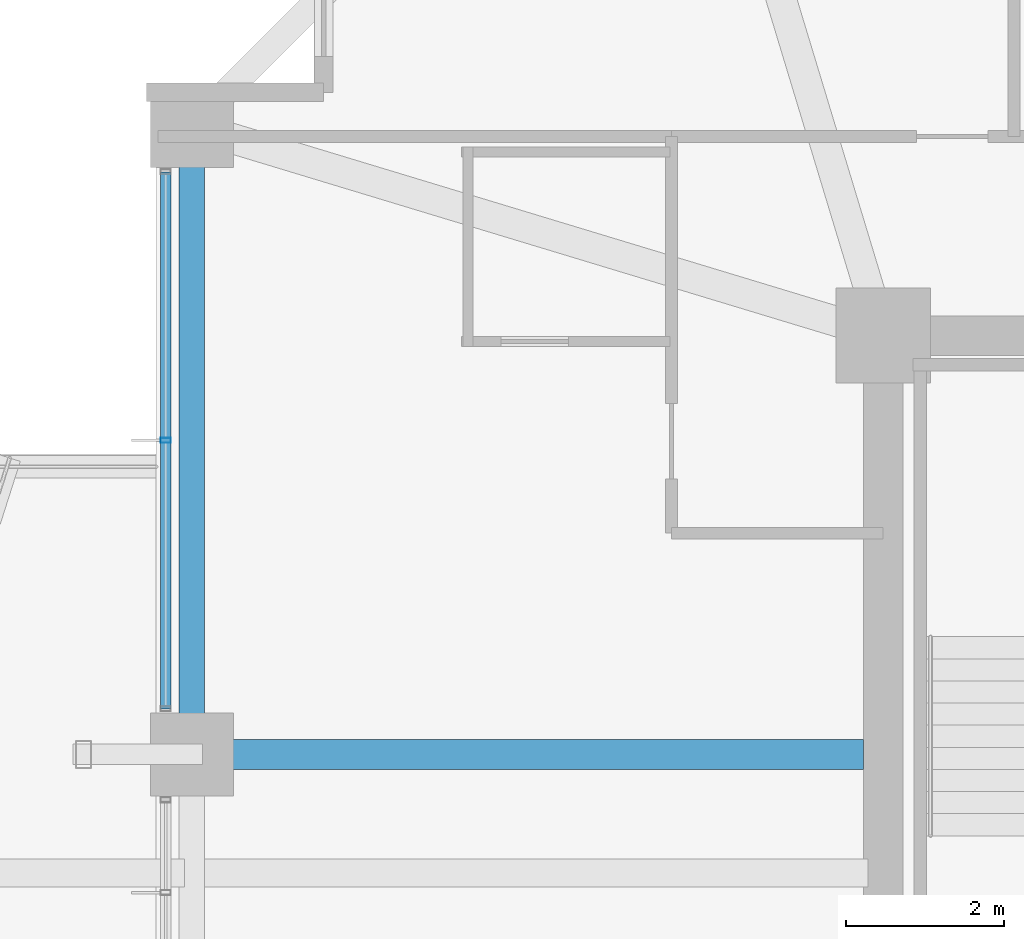
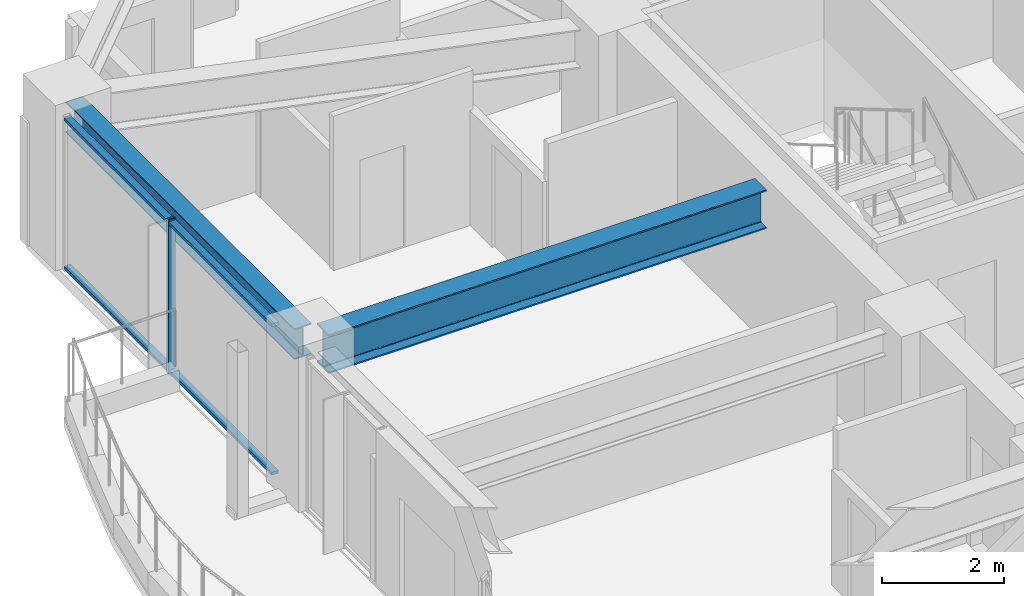
# One storey, part 12 of 38: 3 members, 2 beams, 1 element without a shape of its own.
"""IFC4 building model written with IfcOpenShell, lengths in metres."""

from ifc_helpers import new_model, si_unit, direction, frame, origin, origin_2d, place, context, subcontext, project, spatial, hollow_rectangle, i_section, extrude, material, material_profile, profile_set, type_object, element, aggregate, save


model = new_model("IFC4")

# Units and contexts
model_context = context("Model", 3, precision=1e-05, world=origin(), true_north=direction((0.0, 1.0)))
body_context = subcontext(model_context, "Body", "Model", "MODEL_VIEW")
ifc_project = project(units=[si_unit("LENGTHUNIT", "METRE"), si_unit("AREAUNIT", "SQUARE_METRE"), si_unit("VOLUMEUNIT", "CUBIC_METRE"), si_unit("PLANEANGLEUNIT", "RADIAN"), si_unit("MASSUNIT", "GRAM", prefix="KILO")], contexts=[model_context])

# Site, building, storey
site_placement = place(None, origin())
site = spatial("IfcSite", under=ifc_project, at=site_placement, CompositionType="ELEMENT")
building_placement = place(site_placement, origin())
building = spatial("IfcBuilding", under=site, at=building_placement, Name="Kolvaren Belvedere", CompositionType="ELEMENT")
storey_placement = place(building_placement, frame((0.0, 0.0, 121.699951171875)))
storey = spatial("IfcBuildingStorey", under=building, at=storey_placement, Name="L35", CompositionType="ELEMENT", Elevation=121.699951171875)

# Beams
ifc_material_1 = material(Name="Structural steel ASTM A992 Grade 50", Category="steel")
ifc_material_profile_1 = material_profile(ifc_material_1, i_section(OverallWidth=0.381103515625, OverallDepth=0.77294921875, WebThickness=0.0166015625, FlangeThickness=0.027099609375, FilletRadius=0.02392578125, at=origin_2d()), Name="W30X173")
ifc_profile_set_1 = profile_set([ifc_material_profile_1], Name="Structural steel ASTM A992 Grade 50")
beam_type_1 = type_object("IfcBeamType", Name="BM-GIRD-W30X173", PredefinedType="BEAM", material=ifc_profile_set_1)
beam_1_placement = place(storey_placement, frame((-10.14990234375, 4.60009765625, 2.693603515625), z_axis=(-1.0, 0.0, 0.0), x_axis=(0.0, -1.0, 0.0)))
element("IfcBeam", 1, at=beam_1_placement, inside=storey, type_object=beam_type_1, Name="L35 West Radial Girder P", PredefinedType="BEAM", context=body_context, shape_type="SweptSolid", body=[
    extrude(i_section(OverallWidth=0.381103515625, OverallDepth=0.77294921875, WebThickness=0.0166015625, FlangeThickness=0.027099609375, FilletRadius=0.02392578125, at=origin_2d()), origin(), (0.0, 0.0, 1.0), 8.263916015625),
])
ifc_material_2 = material(Name="Structural steel ASTM A992 Grade 50", Category="steel")
ifc_material_profile_2 = material_profile(ifc_material_2, i_section(OverallWidth=0.324951171875, OverallDepth=0.615966796875, WebThickness=0.013916015625, FlangeThickness=0.021484375, FilletRadius=0.02001953125, at=origin_2d()), Name="W24X117")
ifc_profile_set_2 = profile_set([ifc_material_profile_2], Name="Structural steel ASTM A992 Grade 50")
beam_type_2 = type_object("IfcBeamType", Name="BM-SPAN-W24X117", PredefinedType="SPANDREL", material=ifc_profile_set_2)
beam_2_placement = place(storey_placement, frame((-18.64990234375, 12.313720703125, 2.77197265625), z_axis=(0.0, -1.0, 0.0), x_axis=(1.0, 0.0, 0.0)))
element("IfcBeam", 2, at=beam_2_placement, inside=storey, type_object=beam_type_2, Name="L35 Perimeter Spandrel W4-W3", PredefinedType="SPANDREL", context=body_context, shape_type="SweptSolid", body=[
    extrude(i_section(OverallWidth=0.324951171875, OverallDepth=0.615966796875, WebThickness=0.013916015625, FlangeThickness=0.021484375, FilletRadius=0.02001953125, at=origin_2d()), origin(), (0.0, 0.0, 1.0), 7.4775390625),
])

# Curtain wall, members
ifc_material_3 = material(Name="Anodised pale-metal aluminium AA 6063-T6", Category="aluminium")
curtain_wall_type = type_object("IfcCurtainWallType", Name="CW-Z3-WAIST", PredefinedType="NOTDEFINED", material=ifc_material_3)
curtain_wall_placement = place(storey_placement, origin())
curtain_wall = element("IfcCurtainWall", 3, at=curtain_wall_placement, inside=storey, type_object=curtain_wall_type, Name="L35 Unitised Curtain Wall FCW-L35-W2-B2", PredefinedType="NOTDEFINED")
ifc_material_4 = material(Name="Anodised pale-metal aluminium AA 6063-T6", Category="aluminium")
ifc_material_profile_3 = material_profile(ifc_material_4, hollow_rectangle(XDim=0.06494140625, YDim=0.1298828125, WallThickness=0.00390625, at=origin_2d()), Name="ALU-MUL-130X65")
ifc_profile_set_3 = profile_set([ifc_material_profile_3], Name="Anodised pale-metal aluminium AA 6063-T6")
member_type_1 = type_object("IfcMemberType", Name="CW-MUL-130", PredefinedType="MULLION", material=ifc_profile_set_3)
member_1_placement = place(storey_placement, frame((-18.97998046875, 8.574951171875, 0.0), z_axis=(0.0, 0.0, 1.0), x_axis=(0.0, 1.0, 0.0)))
member_1 = element("IfcMember", 4, at=member_1_placement, type_object=member_type_1, Name="FCW-L35-W2-B2 Unitised Mullion 2", PredefinedType="MULLION", context=body_context, shape_type="SweptSolid", body=[
    extrude(hollow_rectangle(XDim=0.06494140625, YDim=0.1298828125, WallThickness=0.00390625, at=origin_2d()), origin(), (0.0, 0.0, 1.0), 3.080078125),
])
ifc_material_5 = material(Name="Anodised pale-metal aluminium AA 6063-T6", Category="aluminium")
ifc_material_profile_4 = material_profile(ifc_material_5, hollow_rectangle(XDim=0.06005859375, YDim=0.1298828125, WallThickness=0.00390625, at=origin_2d()), Name="ALU-TRN-130X60")
ifc_profile_set_4 = profile_set([ifc_material_profile_4], Name="Anodised pale-metal aluminium AA 6063-T6")
member_type_2 = type_object("IfcMemberType", Name="CW-TRN-130", PredefinedType="USERDEFINED", material=ifc_profile_set_4)
member_2_placement = place(storey_placement, frame((-18.97998046875, 5.177490234375, 0.06005859375), z_axis=(0.0, 1.0, 0.0), x_axis=(0.0, 0.0, 1.0)))
member_2 = element("IfcMember", 5, at=member_2_placement, type_object=member_type_2, Name="FCW-L35-W2-B2 Sill Transom", ObjectType="TRANSOM", PredefinedType="USERDEFINED", context=body_context, shape_type="SweptSolid", body=[
    extrude(hollow_rectangle(XDim=0.06005859375, YDim=0.1298828125, WallThickness=0.00390625, at=origin_2d()), origin(), (0.0, 0.0, 1.0), 6.794921875),
])
member_3_placement = place(storey_placement, frame((-18.97998046875, 5.177490234375, 3.02001953125), z_axis=(0.0, 1.0, 0.0), x_axis=(0.0, 0.0, 1.0)))
member_3 = element("IfcMember", 6, at=member_3_placement, type_object=member_type_2, Name="FCW-L35-W2-B2 Head Transom", ObjectType="TRANSOM", PredefinedType="USERDEFINED", context=body_context, shape_type="SweptSolid", body=[
    extrude(hollow_rectangle(XDim=0.06005859375, YDim=0.1298828125, WallThickness=0.00390625, at=origin_2d()), origin(), (0.0, 0.0, 1.0), 6.794921875),
])
aggregate(curtain_wall, [member_1, member_2, member_3])

save(model, "model.ifc")
